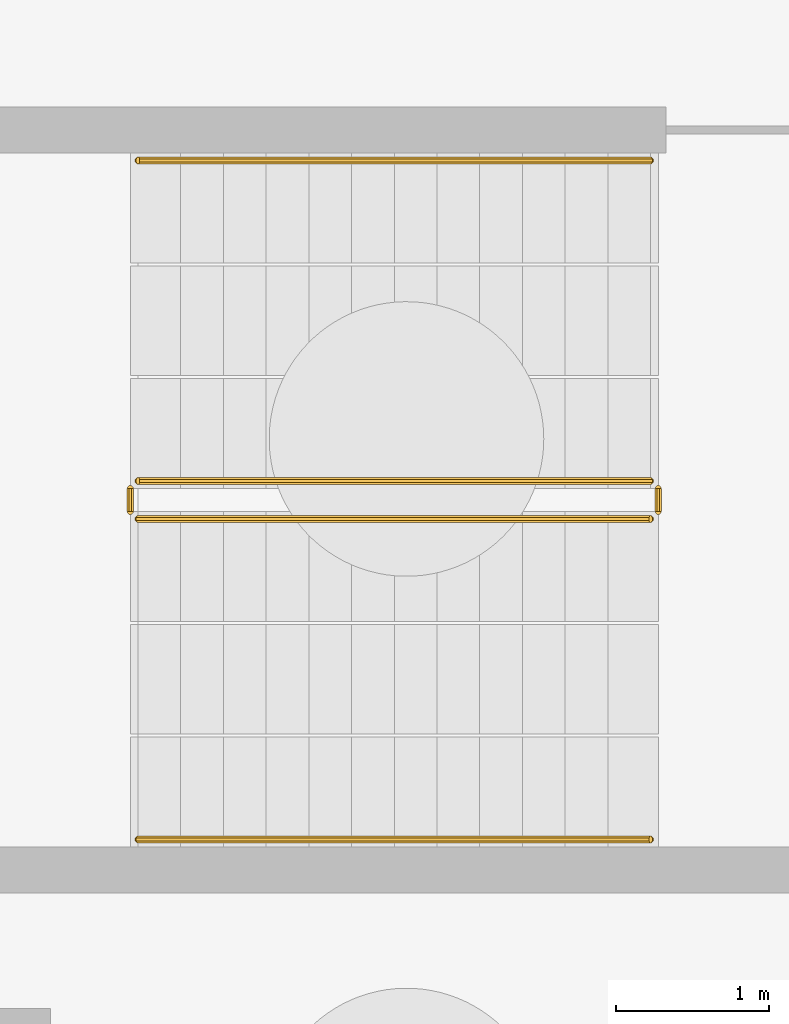
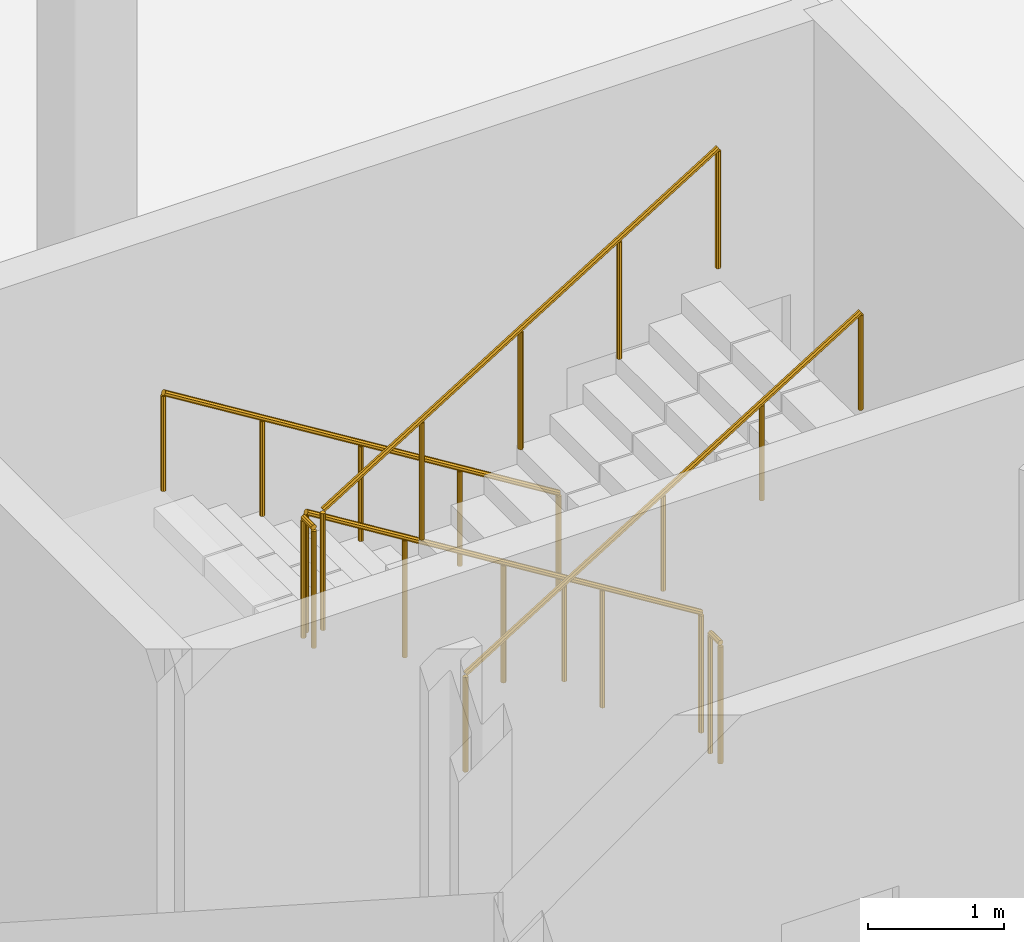
# One storey, part 23 of 29: 6 railings.
"""IFC4 building model written with IfcOpenShell, lengths in metres."""

from ifc_helpers import new_model, si_unit, direction, frame, origin, place, context, subcontext, project, spatial, polyline, outline, extrude, material, type_object, element, save


model = new_model("IFC4")

# Units and contexts
model_context = context("Model", 3, precision=1e-05, world=origin(), true_north=direction((0.0, 1.0)))
body_context = subcontext(model_context, "Body", "Model", "MODEL_VIEW")
ifc_project = project(units=[si_unit("LENGTHUNIT", "METRE"), si_unit("AREAUNIT", "SQUARE_METRE"), si_unit("VOLUMEUNIT", "CUBIC_METRE"), si_unit("PLANEANGLEUNIT", "RADIAN"), si_unit("MASSUNIT", "GRAM", prefix="KILO")], contexts=[model_context])

# Site, building, storey
site_placement = place(None, origin())
site = spatial("IfcSite", under=ifc_project, at=site_placement, CompositionType="ELEMENT")
building_placement = place(site_placement, origin())
building = spatial("IfcBuilding", under=site, at=building_placement, Name="Cormorant Relay Tower", CompositionType="ELEMENT")
storey_placement = place(building_placement, frame((0.0, 0.0, -9.0)))
storey = spatial("IfcBuildingStorey", under=building, at=storey_placement, Name="B2", CompositionType="ELEMENT", Elevation=-9.0)

# Railings
ifc_material_1 = material(Name="Steel ASTM A572 Grade 50 (Fy 345 MPa)", Category="steel")
railing_type_1 = type_object("IfcRailingType", Name="Stair guard 1100", PredefinedType="GUARDRAIL", material=ifc_material_1)
railing_1_placement = place(storey_placement, frame((1.60009765625, -18.27490234375, 0.173095703125)))
element("IfcRailing", 1, at=railing_1_placement, inside=storey, type_object=railing_type_1, Name="B2 RK1 stair guard 1", PredefinedType="GUARDRAIL", context=body_context, shape_type="SweptSolid", body=[
    extrude(outline(polyline([(0.022216796875, 0.00927734375), (0.00927734375, 0.022216796875), (-0.00927734375, 0.022216796875), (-0.022216796875, 0.00927734375), (-0.022216796875, -0.00927734375), (-0.00927734375, -0.022216796875), (0.00927734375, -0.022216796875), (0.022216796875, -0.00927734375), (0.022216796875, 0.00927734375)])), frame((0.0, 0.0, 1.076171875), z_axis=(-0.850623216509, 0.0, 0.525775754039), x_axis=(0.0, -1.0, 0.0)), (0.0, 0.0, 1.0), 3.9501953125),
    extrude(outline(polyline([(0.019287109375, 0.008056640625), (0.008056640625, 0.019287109375), (-0.008056640625, 0.019287109375), (-0.019287109375, 0.008056640625), (-0.019287109375, -0.008056640625), (-0.008056640625, -0.019287109375), (0.008056640625, -0.019287109375), (0.019287109375, -0.008056640625), (0.019287109375, 0.008056640625)])), origin(), (0.0, 0.0, 1.0), 1.052001953125),
    extrude(outline(polyline([(0.019287109375, 0.008056640625), (0.008056640625, 0.019287109375), (-0.008056640625, 0.019287109375), (-0.019287109375, 0.008056640625), (-0.019287109375, -0.008056640625), (-0.008056640625, -0.019287109375), (0.008056640625, -0.019287109375), (0.019287109375, -0.008056640625), (0.019287109375, 0.008056640625)])), frame((-0.840087890625, 0.0, 0.519287109375)), (0.0, 0.0, 1.0), 1.052001953125),
    extrude(outline(polyline([(0.019287109375, 0.008056640625), (0.008056640625, 0.019287109375), (-0.008056640625, 0.019287109375), (-0.019287109375, 0.008056640625), (-0.019287109375, -0.008056640625), (-0.008056640625, -0.019287109375), (0.008056640625, -0.019287109375), (0.019287109375, -0.008056640625), (0.019287109375, 0.008056640625)])), frame((-1.68017578125, 0.0, 1.03857421875)), (0.0, 0.0, 1.0), 1.052001953125),
    extrude(outline(polyline([(0.019287109375, 0.008056640625), (0.008056640625, 0.019287109375), (-0.008056640625, 0.019287109375), (-0.019287109375, 0.008056640625), (-0.019287109375, -0.008056640625), (-0.008056640625, -0.019287109375), (0.008056640625, -0.019287109375), (0.019287109375, -0.008056640625), (0.019287109375, 0.008056640625)])), frame((-2.52001953125, 0.0, 1.5576171875)), (0.0, 0.0, 1.0), 1.052001953125),
    extrude(outline(polyline([(0.019287109375, 0.008056640625), (0.008056640625, 0.019287109375), (-0.008056640625, 0.019287109375), (-0.019287109375, 0.008056640625), (-0.019287109375, -0.008056640625), (-0.008056640625, -0.019287109375), (0.008056640625, -0.019287109375), (0.019287109375, -0.008056640625), (0.019287109375, 0.008056640625)])), frame((-3.360107421875, 0.0, 2.076904296875)), (0.0, 0.0, 1.0), 1.052001953125),
])
railing_2_placement = place(storey_placement, frame((-1.81005859375, -18.324951171875, 2.25)))
element("IfcRailing", 2, at=railing_2_placement, inside=storey, type_object=railing_type_1, Name="B2 RK1 stair guard 2", PredefinedType="GUARDRAIL", context=body_context, shape_type="SweptSolid", body=[
    extrude(outline(polyline([(0.022216796875, 0.00927734375), (0.00927734375, 0.022216796875), (-0.00927734375, 0.022216796875), (-0.022216796875, 0.00927734375), (-0.022216796875, -0.00927734375), (-0.00927734375, -0.022216796875), (0.00927734375, -0.022216796875), (0.022216796875, -0.00927734375), (0.022216796875, 0.00927734375)])), frame((0.0, 0.0, 1.076171875), z_axis=(0.0, -1.0, 0.0), x_axis=(1.0, 0.0, 0.0)), (0.0, 0.0, 1.0), 0.150146484375),
    extrude(outline(polyline([(0.019287109375, 0.008056640625), (0.008056640625, 0.019287109375), (-0.008056640625, 0.019287109375), (-0.019287109375, 0.008056640625), (-0.019287109375, -0.008056640625), (-0.008056640625, -0.019287109375), (0.008056640625, -0.019287109375), (0.019287109375, -0.008056640625), (0.019287109375, 0.008056640625)])), origin(), (0.0, 0.0, 1.0), 1.052001953125),
    extrude(outline(polyline([(0.019287109375, 0.008056640625), (0.008056640625, 0.019287109375), (-0.008056640625, 0.019287109375), (-0.019287109375, 0.008056640625), (-0.019287109375, -0.008056640625), (-0.008056640625, -0.019287109375), (0.008056640625, -0.019287109375), (0.019287109375, -0.008056640625), (0.019287109375, 0.008056640625)])), frame((0.0, -0.150146484375, 0.0)), (0.0, 0.0, 1.0), 1.052001953125),
])
railing_3_placement = place(storey_placement, frame((-1.760009765625, -18.52490234375, 2.423095703125)))
element("IfcRailing", 3, at=railing_3_placement, inside=storey, type_object=railing_type_1, Name="B2 RK1 stair guard 3", PredefinedType="GUARDRAIL", context=body_context, shape_type="SweptSolid", body=[
    extrude(outline(polyline([(0.022216796875, 0.00927734375), (0.00927734375, 0.022216796875), (-0.00927734375, 0.022216796875), (-0.022216796875, 0.00927734375), (-0.022216796875, -0.00927734375), (-0.00927734375, -0.022216796875), (0.00927734375, -0.022216796875), (0.022216796875, -0.00927734375), (0.022216796875, 0.00927734375)])), frame((0.0, 0.0, 1.076171875), z_axis=(0.850623216509, 0.0, 0.525775754039), x_axis=(0.0, 1.0, 0.0)), (0.0, 0.0, 1.0), 3.9501953125),
    extrude(outline(polyline([(0.019287109375, 0.008056640625), (0.008056640625, 0.019287109375), (-0.008056640625, 0.019287109375), (-0.019287109375, 0.008056640625), (-0.019287109375, -0.008056640625), (-0.008056640625, -0.019287109375), (0.008056640625, -0.019287109375), (0.019287109375, -0.008056640625), (0.019287109375, 0.008056640625)])), origin(), (0.0, 0.0, 1.0), 1.052001953125),
    extrude(outline(polyline([(0.019287109375, 0.008056640625), (0.008056640625, 0.019287109375), (-0.008056640625, 0.019287109375), (-0.019287109375, 0.008056640625), (-0.019287109375, -0.008056640625), (-0.008056640625, -0.019287109375), (0.008056640625, -0.019287109375), (0.019287109375, -0.008056640625), (0.019287109375, 0.008056640625)])), frame((0.840087890625, 0.0, 0.519287109375)), (0.0, 0.0, 1.0), 1.052001953125),
    extrude(outline(polyline([(0.019287109375, 0.008056640625), (0.008056640625, 0.019287109375), (-0.008056640625, 0.019287109375), (-0.019287109375, 0.008056640625), (-0.019287109375, -0.008056640625), (-0.008056640625, -0.019287109375), (0.008056640625, -0.019287109375), (0.019287109375, -0.008056640625), (0.019287109375, 0.008056640625)])), frame((1.68017578125, 0.0, 1.03857421875)), (0.0, 0.0, 1.0), 1.052001953125),
    extrude(outline(polyline([(0.019287109375, 0.008056640625), (0.008056640625, 0.019287109375), (-0.008056640625, 0.019287109375), (-0.019287109375, 0.008056640625), (-0.019287109375, -0.008056640625), (-0.008056640625, -0.019287109375), (0.008056640625, -0.019287109375), (0.019287109375, -0.008056640625), (0.019287109375, 0.008056640625)])), frame((2.52001953125, 0.0, 1.5576171875)), (0.0, 0.0, 1.0), 1.052001953125),
    extrude(outline(polyline([(0.019287109375, 0.008056640625), (0.008056640625, 0.019287109375), (-0.008056640625, 0.019287109375), (-0.019287109375, 0.008056640625), (-0.019287109375, -0.008056640625), (-0.008056640625, -0.019287109375), (0.008056640625, -0.019287109375), (0.019287109375, -0.008056640625), (0.019287109375, 0.008056640625)])), frame((3.360107421875, 0.0, 2.076904296875)), (0.0, 0.0, 1.0), 1.052001953125),
])
railing_4_placement = place(storey_placement, frame((1.64990234375, -18.324951171875, 0.0)))
element("IfcRailing", 4, at=railing_4_placement, inside=storey, type_object=railing_type_1, Name="B2 RK1 stair guard 4", PredefinedType="GUARDRAIL", context=body_context, shape_type="SweptSolid", body=[
    extrude(outline(polyline([(0.022216796875, 0.00927734375), (0.00927734375, 0.022216796875), (-0.00927734375, 0.022216796875), (-0.022216796875, 0.00927734375), (-0.022216796875, -0.00927734375), (-0.00927734375, -0.022216796875), (0.00927734375, -0.022216796875), (0.022216796875, -0.00927734375), (0.022216796875, 0.00927734375)])), frame((0.0, 0.0, 1.076171875), z_axis=(0.0, -1.0, 0.0), x_axis=(1.0, 0.0, 0.0)), (0.0, 0.0, 1.0), 0.150146484375),
    extrude(outline(polyline([(0.019287109375, 0.008056640625), (0.008056640625, 0.019287109375), (-0.008056640625, 0.019287109375), (-0.019287109375, 0.008056640625), (-0.019287109375, -0.008056640625), (-0.008056640625, -0.019287109375), (0.008056640625, -0.019287109375), (0.019287109375, -0.008056640625), (0.019287109375, 0.008056640625)])), origin(), (0.0, 0.0, 1.0), 1.052001953125),
    extrude(outline(polyline([(0.019287109375, 0.008056640625), (0.008056640625, 0.019287109375), (-0.008056640625, 0.019287109375), (-0.019287109375, 0.008056640625), (-0.019287109375, -0.008056640625), (-0.008056640625, -0.019287109375), (0.008056640625, -0.019287109375), (0.019287109375, -0.008056640625), (0.019287109375, 0.008056640625)])), frame((0.0, -0.150146484375, 0.0)), (0.0, 0.0, 1.0), 1.052001953125),
])
ifc_material_2 = material(Name="Steel ASTM A572 Grade 50 (Fy 345 MPa)", Category="steel")
railing_type_2 = type_object("IfcRailingType", Name="Stair handrail 900", PredefinedType="HANDRAIL", material=ifc_material_2)
railing_5_placement = place(storey_placement, frame((1.60009765625, -16.175048828125, 0.173095703125)))
element("IfcRailing", 5, at=railing_5_placement, inside=storey, type_object=railing_type_2, Name="B2 RK1 stair handrail 1", PredefinedType="HANDRAIL", context=body_context, shape_type="SweptSolid", body=[
    extrude(outline(polyline([(0.022216796875, 0.00927734375), (0.00927734375, 0.022216796875), (-0.00927734375, 0.022216796875), (-0.022216796875, 0.00927734375), (-0.022216796875, -0.00927734375), (-0.00927734375, -0.022216796875), (0.00927734375, -0.022216796875), (0.022216796875, -0.00927734375), (0.022216796875, 0.00927734375)])), frame((0.0, 0.0, 0.8759765625), z_axis=(-0.850623216509, 0.0, 0.525775754039), x_axis=(0.0, -1.0, 0.0)), (0.0, 0.0, 1.0), 3.9501953125),
    extrude(outline(polyline([(0.019287109375, 0.008056640625), (0.008056640625, 0.019287109375), (-0.008056640625, 0.019287109375), (-0.019287109375, 0.008056640625), (-0.019287109375, -0.008056640625), (-0.008056640625, -0.019287109375), (0.008056640625, -0.019287109375), (0.019287109375, -0.008056640625), (0.019287109375, 0.008056640625)])), origin(), (0.0, 0.0, 1.0), 0.851806640625),
    extrude(outline(polyline([(0.019287109375, 0.008056640625), (0.008056640625, 0.019287109375), (-0.008056640625, 0.019287109375), (-0.019287109375, 0.008056640625), (-0.019287109375, -0.008056640625), (-0.008056640625, -0.019287109375), (0.008056640625, -0.019287109375), (0.019287109375, -0.008056640625), (0.019287109375, 0.008056640625)])), frame((-0.840087890625, 0.0, 0.519287109375)), (0.0, 0.0, 1.0), 0.851806640625),
    extrude(outline(polyline([(0.019287109375, 0.008056640625), (0.008056640625, 0.019287109375), (-0.008056640625, 0.019287109375), (-0.019287109375, 0.008056640625), (-0.019287109375, -0.008056640625), (-0.008056640625, -0.019287109375), (0.008056640625, -0.019287109375), (0.019287109375, -0.008056640625), (0.019287109375, 0.008056640625)])), frame((-1.68017578125, 0.0, 1.03857421875)), (0.0, 0.0, 1.0), 0.851806640625),
    extrude(outline(polyline([(0.019287109375, 0.008056640625), (0.008056640625, 0.019287109375), (-0.008056640625, 0.019287109375), (-0.019287109375, 0.008056640625), (-0.019287109375, -0.008056640625), (-0.008056640625, -0.019287109375), (0.008056640625, -0.019287109375), (0.019287109375, -0.008056640625), (0.019287109375, 0.008056640625)])), frame((-2.52001953125, 0.0, 1.5576171875)), (0.0, 0.0, 1.0), 0.851806640625),
    extrude(outline(polyline([(0.019287109375, 0.008056640625), (0.008056640625, 0.019287109375), (-0.008056640625, 0.019287109375), (-0.019287109375, 0.008056640625), (-0.019287109375, -0.008056640625), (-0.008056640625, -0.019287109375), (0.008056640625, -0.019287109375), (0.019287109375, -0.008056640625), (0.019287109375, 0.008056640625)])), frame((-3.360107421875, 0.0, 2.076904296875)), (0.0, 0.0, 1.0), 0.851806640625),
])
railing_6_placement = place(storey_placement, frame((-1.760009765625, -20.625, 2.423095703125)))
element("IfcRailing", 6, at=railing_6_placement, inside=storey, type_object=railing_type_2, Name="B2 RK1 stair handrail 2", PredefinedType="HANDRAIL", context=body_context, shape_type="SweptSolid", body=[
    extrude(outline(polyline([(0.022216796875, 0.00927734375), (0.00927734375, 0.022216796875), (-0.00927734375, 0.022216796875), (-0.022216796875, 0.00927734375), (-0.022216796875, -0.00927734375), (-0.00927734375, -0.022216796875), (0.00927734375, -0.022216796875), (0.022216796875, -0.00927734375), (0.022216796875, 0.00927734375)])), frame((0.0, 0.0, 0.8759765625), z_axis=(0.850623216509, 0.0, 0.525775754039), x_axis=(0.0, 1.0, 0.0)), (0.0, 0.0, 1.0), 3.9501953125),
    extrude(outline(polyline([(0.019287109375, 0.008056640625), (0.008056640625, 0.019287109375), (-0.008056640625, 0.019287109375), (-0.019287109375, 0.008056640625), (-0.019287109375, -0.008056640625), (-0.008056640625, -0.019287109375), (0.008056640625, -0.019287109375), (0.019287109375, -0.008056640625), (0.019287109375, 0.008056640625)])), origin(), (0.0, 0.0, 1.0), 0.851806640625),
    extrude(outline(polyline([(0.019287109375, 0.008056640625), (0.008056640625, 0.019287109375), (-0.008056640625, 0.019287109375), (-0.019287109375, 0.008056640625), (-0.019287109375, -0.008056640625), (-0.008056640625, -0.019287109375), (0.008056640625, -0.019287109375), (0.019287109375, -0.008056640625), (0.019287109375, 0.008056640625)])), frame((0.840087890625, 0.0, 0.519287109375)), (0.0, 0.0, 1.0), 0.851806640625),
    extrude(outline(polyline([(0.019287109375, 0.008056640625), (0.008056640625, 0.019287109375), (-0.008056640625, 0.019287109375), (-0.019287109375, 0.008056640625), (-0.019287109375, -0.008056640625), (-0.008056640625, -0.019287109375), (0.008056640625, -0.019287109375), (0.019287109375, -0.008056640625), (0.019287109375, 0.008056640625)])), frame((1.68017578125, 0.0, 1.03857421875)), (0.0, 0.0, 1.0), 0.851806640625),
    extrude(outline(polyline([(0.019287109375, 0.008056640625), (0.008056640625, 0.019287109375), (-0.008056640625, 0.019287109375), (-0.019287109375, 0.008056640625), (-0.019287109375, -0.008056640625), (-0.008056640625, -0.019287109375), (0.008056640625, -0.019287109375), (0.019287109375, -0.008056640625), (0.019287109375, 0.008056640625)])), frame((2.52001953125, 0.0, 1.5576171875)), (0.0, 0.0, 1.0), 0.851806640625),
    extrude(outline(polyline([(0.019287109375, 0.008056640625), (0.008056640625, 0.019287109375), (-0.008056640625, 0.019287109375), (-0.019287109375, 0.008056640625), (-0.019287109375, -0.008056640625), (-0.008056640625, -0.019287109375), (0.008056640625, -0.019287109375), (0.019287109375, -0.008056640625), (0.019287109375, 0.008056640625)])), frame((3.360107421875, 0.0, 2.076904296875)), (0.0, 0.0, 1.0), 0.851806640625),
])

save(model, "model.ifc")
